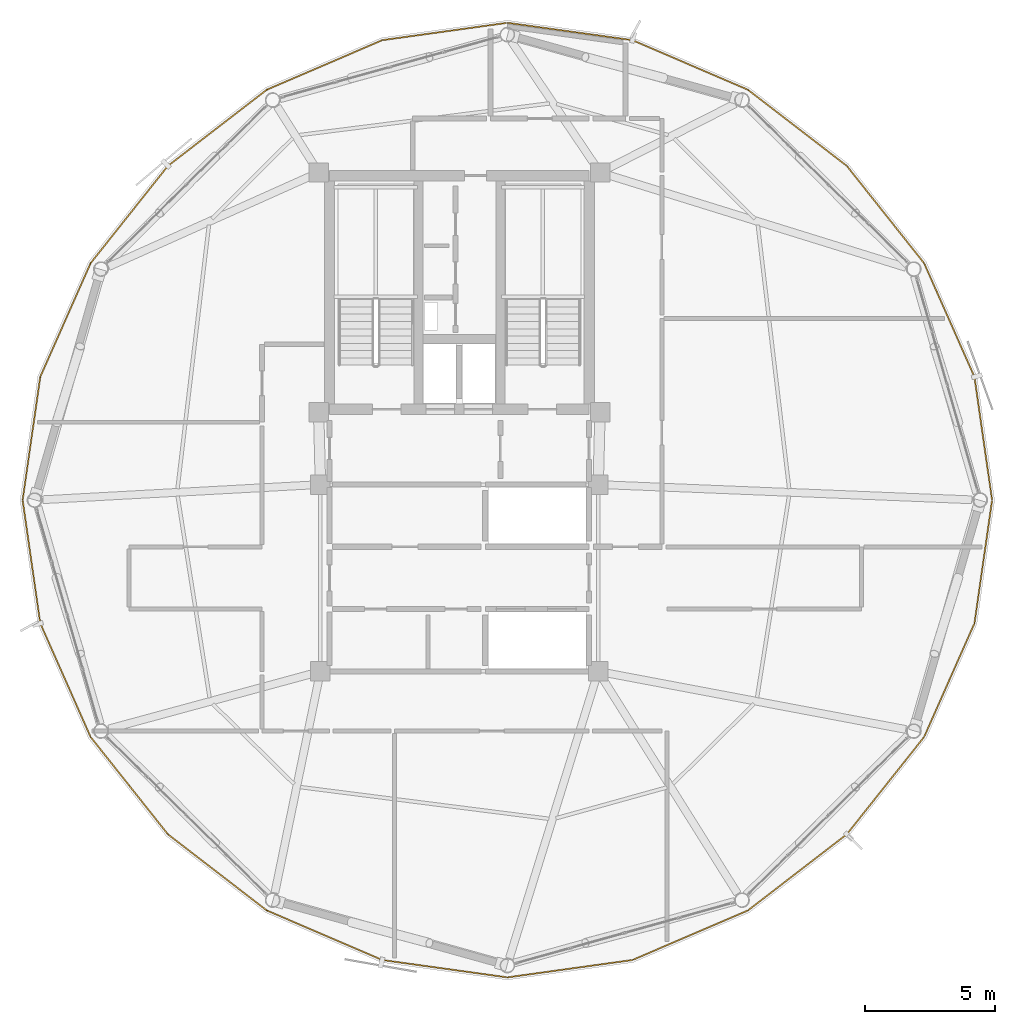
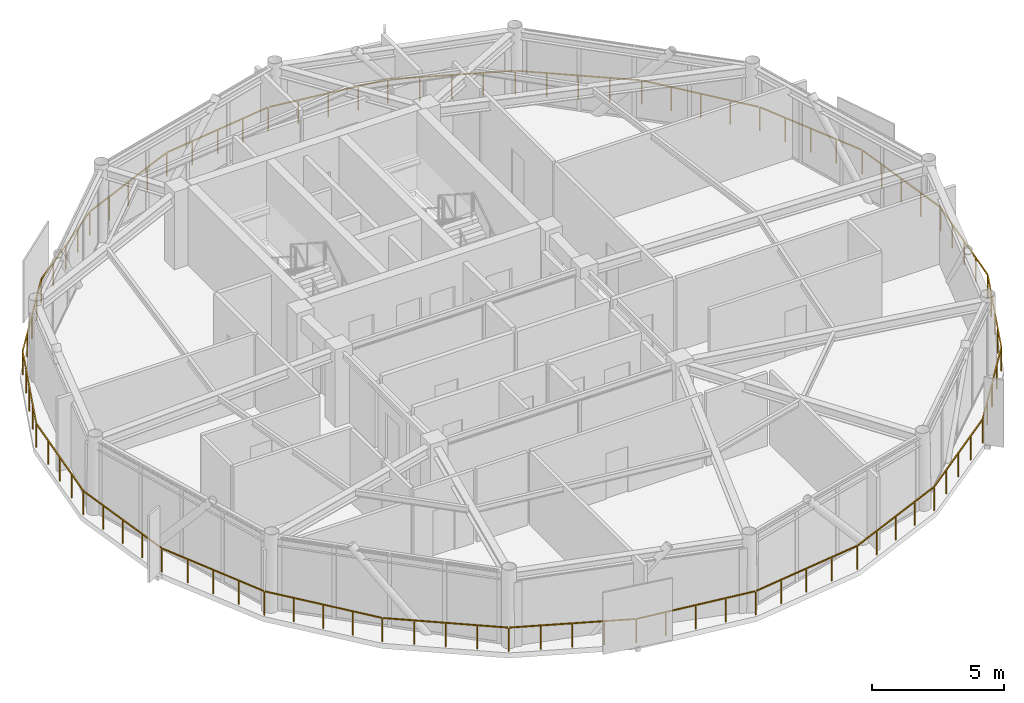
# One storey, part 26 of 27: 1 railing.
"""IFC4 building model written with IfcOpenShell, lengths in metres."""

from ifc_helpers import new_model, si_unit, direction, frame, origin, origin_2d, place, context, subcontext, project, spatial, rectangle, extrude, material, type_object, element, save


model = new_model("IFC4")

# Units and contexts
model_context = context("Model", 3, precision=1e-05, world=origin(), true_north=direction((0.0, 1.0)))
body_context = subcontext(model_context, "Body", "Model", "MODEL_VIEW")
ifc_project = project(units=[si_unit("LENGTHUNIT", "METRE"), si_unit("AREAUNIT", "SQUARE_METRE"), si_unit("VOLUMEUNIT", "CUBIC_METRE"), si_unit("PLANEANGLEUNIT", "RADIAN"), si_unit("MASSUNIT", "GRAM", prefix="KILO")], contexts=[model_context])

# Site, building, storey
site_placement = place(None, origin())
site = spatial("IfcSite", under=ifc_project, at=site_placement, CompositionType="ELEMENT")
building_placement = place(site_placement, origin())
building = spatial("IfcBuilding", under=site, at=building_placement, Name="Varnakorn Sky Granary", CompositionType="ELEMENT")
storey_placement = place(building_placement, frame((0.0, 0.0, 263.39990234375)))
storey = spatial("IfcBuildingStorey", under=building, at=storey_placement, Name="L67", CompositionType="ELEMENT", Elevation=263.39990234375)

# Railing
ifc_material = material(Name="Anodised Bronze Aluminium Alloy 6063-T6", Category="aluminium")
railing_type = type_object("IfcRailingType", Name="RL-BAL-1120", PredefinedType="BALUSTRADE", material=ifc_material)
railing_placement = place(storey_placement, frame((23.52294921875, 0.0, 0.0)))
element("IfcRailing", 1, at=railing_placement, inside=storey, type_object=railing_type, Name="Perimeter Slab-Edge Safety Guard L67", PredefinedType="BALUSTRADE", context=body_context, shape_type="SweptSolid", body=[
    extrude(rectangle(XDim=0.048095703125, YDim=0.048095703125, at=origin_2d()), frame((-0.00390625, -0.02783203125, 1.09619140625), z_axis=(-0.141685164714, -0.989911770866, 0.0), x_axis=(0.989911770866, -0.141685164714, 0.0)), (0.0, 0.0, 1.0), 4.73779296875),
    extrude(rectangle(XDim=0.048095703125, YDim=0.048095703125, at=origin_2d()), frame((-0.6904296875, -4.77099609375, 1.09619140625), z_axis=(-0.404789746332, -0.914409788478, 0.0), x_axis=(0.914409788478, -0.404789746332, 0.0)), (0.0, 0.0, 1.0), 4.732177734375),
    extrude(rectangle(XDim=0.048095703125, YDim=0.048095703125, at=origin_2d()), frame((-2.634765625, -9.145751953125, 1.09619140625), z_axis=(-0.621974102844, -0.783037812236, 0.0), x_axis=(0.783037812236, -0.621974102844, 0.0)), (0.0, 0.0, 1.0), 4.732421875),
    extrude(rectangle(XDim=0.048095703125, YDim=0.048095703125, at=origin_2d()), frame((-5.617919921875, -12.890380859375, 1.09619140625), z_axis=(-0.792299153788, -0.610132814153, 0.0), x_axis=(0.610132814153, -0.792299153788, 0.0)), (0.0, 0.0, 1.0), 4.751220703125),
    extrude(rectangle(XDim=0.048095703125, YDim=0.048095703125, at=origin_2d()), frame((-9.43017578125, -15.8173828125, 1.09619140625), z_axis=(-0.918873507021, -0.394552250147, 0.0), x_axis=(0.394552250147, -0.918873507021, 0.0)), (0.0, 0.0, 1.0), 4.78466796875),
    extrude(rectangle(XDim=0.048095703125, YDim=0.048095703125, at=origin_2d()), frame((-13.88037109375, -17.72021484375, 1.09619140625), z_axis=(-0.990486955779, -0.137606651119, 0.0), x_axis=(0.137606651119, -0.990486955779, 0.0)), (0.0, 0.0, 1.0), 4.810546875),
    extrude(rectangle(XDim=0.048095703125, YDim=0.048095703125, at=origin_2d()), frame((-18.70068359375, -18.382080078125, 1.09619140625), z_axis=(-0.990486955779, 0.137606651119, 0.0), x_axis=(-0.137606651119, -0.990486955779, 0.0)), (0.0, 0.0, 1.0), 4.810546875),
    extrude(rectangle(XDim=0.048095703125, YDim=0.048095703125, at=origin_2d()), frame((-23.518798828125, -17.705322265625, 1.09619140625), z_axis=(-0.918881357751, 0.394533966064, 0.0), x_axis=(-0.394533966064, -0.918881357751, 0.0)), (0.0, 0.0, 1.0), 4.784912109375),
    extrude(rectangle(XDim=0.048095703125, YDim=0.048095703125, at=origin_2d()), frame((-27.963623046875, -15.789306640625, 1.09619140625), z_axis=(-0.792299153788, 0.610132814153, 0.0), x_axis=(-0.610132814153, -0.792299153788, 0.0)), (0.0, 0.0, 1.0), 4.751220703125),
    extrude(rectangle(XDim=0.048095703125, YDim=0.048095703125, at=origin_2d()), frame((-31.767578125, -12.851318359375, 1.09619140625), z_axis=(-0.621974102844, 0.783037812236, 0.0), x_axis=(-0.783037812236, -0.621974102844, 0.0)), (0.0, 0.0, 1.0), 4.732421875),
    extrude(rectangle(XDim=0.048095703125, YDim=0.048095703125, at=origin_2d()), frame((-34.73974609375, -9.09814453125, 1.09619140625), z_axis=(-0.404789746332, 0.914409788478, 0.0), x_axis=(-0.914409788478, -0.404789746332, 0.0)), (0.0, 0.0, 1.0), 4.732177734375),
    extrude(rectangle(XDim=0.048095703125, YDim=0.048095703125, at=origin_2d()), frame((-36.670654296875, -4.717529296875, 1.09619140625), z_axis=(-0.141685164714, 0.989911770866, 0.0), x_axis=(-0.989911770866, -0.141685164714, 0.0)), (0.0, 0.0, 1.0), 4.73779296875),
    extrude(rectangle(XDim=0.048095703125, YDim=0.048095703125, at=origin_2d()), frame((-37.342041015625, 0.02783203125, 1.09619140625), z_axis=(0.141685164714, 0.989911770866, 0.0), x_axis=(-0.989911770866, 0.141685164714, 0.0)), (0.0, 0.0, 1.0), 4.73779296875),
    extrude(rectangle(XDim=0.048095703125, YDim=0.048095703125, at=origin_2d()), frame((-36.655517578125, 4.77099609375, 1.09619140625), z_axis=(0.404789746332, 0.914409788478, 0.0), x_axis=(-0.914409788478, 0.404789746332, 0.0)), (0.0, 0.0, 1.0), 4.732177734375),
    extrude(rectangle(XDim=0.048095703125, YDim=0.048095703125, at=origin_2d()), frame((-34.711181640625, 9.145751953125, 1.09619140625), z_axis=(0.621974102844, 0.783037812236, 0.0), x_axis=(-0.783037812236, 0.621974102844, 0.0)), (0.0, 0.0, 1.0), 4.732421875),
    extrude(rectangle(XDim=0.048095703125, YDim=0.048095703125, at=origin_2d()), frame((-31.72802734375, 12.890380859375, 1.09619140625), z_axis=(0.792299153788, 0.610132814153, 0.0), x_axis=(-0.610132814153, 0.792299153788, 0.0)), (0.0, 0.0, 1.0), 4.751220703125),
    extrude(rectangle(XDim=0.048095703125, YDim=0.048095703125, at=origin_2d()), frame((-27.915771484375, 15.8173828125, 1.09619140625), z_axis=(0.918881357751, 0.394533966064, 0.0), x_axis=(-0.394533966064, 0.918881357751, 0.0)), (0.0, 0.0, 1.0), 4.784912109375),
    extrude(rectangle(XDim=0.048095703125, YDim=0.048095703125, at=origin_2d()), frame((-23.46533203125, 17.72021484375, 1.09619140625), z_axis=(0.990486955779, 0.137606651119, 0.0), x_axis=(-0.137606651119, 0.990486955779, 0.0)), (0.0, 0.0, 1.0), 4.810546875),
    extrude(rectangle(XDim=0.048095703125, YDim=0.048095703125, at=origin_2d()), frame((-18.64501953125, 18.382080078125, 1.09619140625), z_axis=(0.990486955779, -0.137606651119, 0.0), x_axis=(0.137606651119, 0.990486955779, 0.0)), (0.0, 0.0, 1.0), 4.810546875),
    extrude(rectangle(XDim=0.048095703125, YDim=0.048095703125, at=origin_2d()), frame((-13.826904296875, 17.705322265625, 1.09619140625), z_axis=(0.918873507021, -0.394552250147, 0.0), x_axis=(0.394552250147, 0.918873507021, 0.0)), (0.0, 0.0, 1.0), 4.78466796875),
    extrude(rectangle(XDim=0.048095703125, YDim=0.048095703125, at=origin_2d()), frame((-9.38232421875, 15.789306640625, 1.09619140625), z_axis=(0.792299153788, -0.610132814153, 0.0), x_axis=(0.610132814153, 0.792299153788, 0.0)), (0.0, 0.0, 1.0), 4.751220703125),
    extrude(rectangle(XDim=0.048095703125, YDim=0.048095703125, at=origin_2d()), frame((-5.578369140625, 12.851318359375, 1.09619140625), z_axis=(0.621974102844, -0.783037812236, 0.0), x_axis=(0.783037812236, 0.621974102844, 0.0)), (0.0, 0.0, 1.0), 4.732421875),
    extrude(rectangle(XDim=0.048095703125, YDim=0.048095703125, at=origin_2d()), frame((-2.606201171875, 9.09814453125, 1.09619140625), z_axis=(0.404789746332, -0.914409788478, 0.0), x_axis=(0.914409788478, 0.404789746332, 0.0)), (0.0, 0.0, 1.0), 4.732177734375),
    extrude(rectangle(XDim=0.048095703125, YDim=0.048095703125, at=origin_2d()), frame((-0.67529296875, 4.717529296875, 1.09619140625), z_axis=(0.141685164714, -0.989911770866, 0.0), x_axis=(0.989911770866, 0.141685164714, 0.0)), (0.0, 0.0, 1.0), 4.73779296875),
    extrude(rectangle(XDim=0.0419921875, YDim=0.0419921875, at=origin_2d()), origin(), (0.0, 0.0, 1.0), 1.068115234375),
    extrude(rectangle(XDim=0.0419921875, YDim=0.0419921875, at=origin_2d()), frame((-0.169921875, -1.186279296875, 0.0)), (0.0, 0.0, 1.0), 1.068115234375),
    extrude(rectangle(XDim=0.0419921875, YDim=0.0419921875, at=origin_2d()), frame((-0.339599609375, -2.37255859375, 0.0)), (0.0, 0.0, 1.0), 1.068115234375),
    extrude(rectangle(XDim=0.0419921875, YDim=0.0419921875, at=origin_2d()), frame((-0.50927734375, -3.55908203125, 0.0)), (0.0, 0.0, 1.0), 1.068115234375),
    extrude(rectangle(XDim=0.0419921875, YDim=0.0419921875, at=origin_2d()), frame((-0.67919921875, -4.745361328125, 0.0)), (0.0, 0.0, 1.0), 1.068115234375),
    extrude(rectangle(XDim=0.0419921875, YDim=0.0419921875, at=origin_2d()), frame((-1.163818359375, -5.83984375, 0.0)), (0.0, 0.0, 1.0), 1.068115234375),
    extrude(rectangle(XDim=0.0419921875, YDim=0.0419921875, at=origin_2d()), frame((-1.6484375, -6.9345703125, 0.0)), (0.0, 0.0, 1.0), 1.068115234375),
    extrude(rectangle(XDim=0.0419921875, YDim=0.0419921875, at=origin_2d()), frame((-2.1328125, -8.029296875, 0.0)), (0.0, 0.0, 1.0), 1.068115234375),
    extrude(rectangle(XDim=0.0419921875, YDim=0.0419921875, at=origin_2d()), frame((-2.617431640625, -9.123779296875, 0.0)), (0.0, 0.0, 1.0), 1.068115234375),
    extrude(rectangle(XDim=0.0419921875, YDim=0.0419921875, at=origin_2d()), frame((-3.362060546875, -10.06103515625, 0.0)), (0.0, 0.0, 1.0), 1.068115234375),
    extrude(rectangle(XDim=0.0419921875, YDim=0.0419921875, at=origin_2d()), frame((-4.1064453125, -10.99853515625, 0.0)), (0.0, 0.0, 1.0), 1.068115234375),
    extrude(rectangle(XDim=0.0419921875, YDim=0.0419921875, at=origin_2d()), frame((-4.85107421875, -11.93603515625, 0.0)), (0.0, 0.0, 1.0), 1.068115234375),
    extrude(rectangle(XDim=0.0419921875, YDim=0.0419921875, at=origin_2d()), frame((-5.595703125, -12.873291015625, 0.0)), (0.0, 0.0, 1.0), 1.068115234375),
    extrude(rectangle(XDim=0.0419921875, YDim=0.0419921875, at=origin_2d()), frame((-6.5478515625, -13.6064453125, 0.0)), (0.0, 0.0, 1.0), 1.068115234375),
    extrude(rectangle(XDim=0.0419921875, YDim=0.0419921875, at=origin_2d()), frame((-7.5, -14.33984375, 0.0)), (0.0, 0.0, 1.0), 1.068115234375),
    extrude(rectangle(XDim=0.0419921875, YDim=0.0419921875, at=origin_2d()), frame((-8.452392578125, -15.0732421875, 0.0)), (0.0, 0.0, 1.0), 1.068115234375),
    extrude(rectangle(XDim=0.0419921875, YDim=0.0419921875, at=origin_2d()), frame((-9.404541015625, -15.806396484375, 0.0)), (0.0, 0.0, 1.0), 1.068115234375),
    extrude(rectangle(XDim=0.0419921875, YDim=0.0419921875, at=origin_2d()), frame((-10.5166015625, -16.283935546875, 0.0)), (0.0, 0.0, 1.0), 1.068115234375),
    extrude(rectangle(XDim=0.0419921875, YDim=0.0419921875, at=origin_2d()), frame((-11.62841796875, -16.76123046875, 0.0)), (0.0, 0.0, 1.0), 1.068115234375),
    extrude(rectangle(XDim=0.0419921875, YDim=0.0419921875, at=origin_2d()), frame((-12.740478515625, -17.23876953125, 0.0)), (0.0, 0.0, 1.0), 1.068115234375),
    extrude(rectangle(XDim=0.0419921875, YDim=0.0419921875, at=origin_2d()), frame((-13.8525390625, -17.71630859375, 0.0)), (0.0, 0.0, 1.0), 1.068115234375),
    extrude(rectangle(XDim=0.0419921875, YDim=0.0419921875, at=origin_2d()), frame((-15.0576171875, -17.8837890625, 0.0)), (0.0, 0.0, 1.0), 1.068115234375),
    extrude(rectangle(XDim=0.0419921875, YDim=0.0419921875, at=origin_2d()), frame((-16.2626953125, -18.05126953125, 0.0)), (0.0, 0.0, 1.0), 1.068115234375),
    extrude(rectangle(XDim=0.0419921875, YDim=0.0419921875, at=origin_2d()), frame((-17.4677734375, -18.218505859375, 0.0)), (0.0, 0.0, 1.0), 1.068115234375),
    extrude(rectangle(XDim=0.0419921875, YDim=0.0419921875, at=origin_2d()), frame((-18.6728515625, -18.385986328125, 0.0)), (0.0, 0.0, 1.0), 1.068115234375),
    extrude(rectangle(XDim=0.0419921875, YDim=0.0419921875, at=origin_2d()), frame((-19.8779296875, -18.218505859375, 0.0)), (0.0, 0.0, 1.0), 1.068115234375),
    extrude(rectangle(XDim=0.0419921875, YDim=0.0419921875, at=origin_2d()), frame((-21.0830078125, -18.05126953125, 0.0)), (0.0, 0.0, 1.0), 1.068115234375),
    extrude(rectangle(XDim=0.0419921875, YDim=0.0419921875, at=origin_2d()), frame((-22.2880859375, -17.8837890625, 0.0)), (0.0, 0.0, 1.0), 1.068115234375),
    extrude(rectangle(XDim=0.0419921875, YDim=0.0419921875, at=origin_2d()), frame((-23.4931640625, -17.71630859375, 0.0)), (0.0, 0.0, 1.0), 1.068115234375),
    extrude(rectangle(XDim=0.0419921875, YDim=0.0419921875, at=origin_2d()), frame((-24.605224609375, -17.23876953125, 0.0)), (0.0, 0.0, 1.0), 1.068115234375),
    extrude(rectangle(XDim=0.0419921875, YDim=0.0419921875, at=origin_2d()), frame((-25.71728515625, -16.76123046875, 0.0)), (0.0, 0.0, 1.0), 1.068115234375),
    extrude(rectangle(XDim=0.0419921875, YDim=0.0419921875, at=origin_2d()), frame((-26.829345703125, -16.283935546875, 0.0)), (0.0, 0.0, 1.0), 1.068115234375),
    extrude(rectangle(XDim=0.0419921875, YDim=0.0419921875, at=origin_2d()), frame((-27.94140625, -15.806396484375, 0.0)), (0.0, 0.0, 1.0), 1.068115234375),
    extrude(rectangle(XDim=0.0419921875, YDim=0.0419921875, at=origin_2d()), frame((-28.8935546875, -15.0732421875, 0.0)), (0.0, 0.0, 1.0), 1.068115234375),
    extrude(rectangle(XDim=0.0419921875, YDim=0.0419921875, at=origin_2d()), frame((-29.845703125, -14.33984375, 0.0)), (0.0, 0.0, 1.0), 1.068115234375),
    extrude(rectangle(XDim=0.0419921875, YDim=0.0419921875, at=origin_2d()), frame((-30.798095703125, -13.6064453125, 0.0)), (0.0, 0.0, 1.0), 1.068115234375),
    extrude(rectangle(XDim=0.0419921875, YDim=0.0419921875, at=origin_2d()), frame((-31.750244140625, -12.873291015625, 0.0)), (0.0, 0.0, 1.0), 1.068115234375),
    extrude(rectangle(XDim=0.0419921875, YDim=0.0419921875, at=origin_2d()), frame((-32.494873046875, -11.93603515625, 0.0)), (0.0, 0.0, 1.0), 1.068115234375),
    extrude(rectangle(XDim=0.0419921875, YDim=0.0419921875, at=origin_2d()), frame((-33.2392578125, -10.99853515625, 0.0)), (0.0, 0.0, 1.0), 1.068115234375),
    extrude(rectangle(XDim=0.0419921875, YDim=0.0419921875, at=origin_2d()), frame((-33.98388671875, -10.06103515625, 0.0)), (0.0, 0.0, 1.0), 1.068115234375),
    extrude(rectangle(XDim=0.0419921875, YDim=0.0419921875, at=origin_2d()), frame((-34.728515625, -9.123779296875, 0.0)), (0.0, 0.0, 1.0), 1.068115234375),
    extrude(rectangle(XDim=0.0419921875, YDim=0.0419921875, at=origin_2d()), frame((-35.213134765625, -8.029296875, 0.0)), (0.0, 0.0, 1.0), 1.068115234375),
    extrude(rectangle(XDim=0.0419921875, YDim=0.0419921875, at=origin_2d()), frame((-35.69775390625, -6.9345703125, 0.0)), (0.0, 0.0, 1.0), 1.068115234375),
    extrude(rectangle(XDim=0.0419921875, YDim=0.0419921875, at=origin_2d()), frame((-36.18212890625, -5.83984375, 0.0)), (0.0, 0.0, 1.0), 1.068115234375),
    extrude(rectangle(XDim=0.0419921875, YDim=0.0419921875, at=origin_2d()), frame((-36.666748046875, -4.745361328125, 0.0)), (0.0, 0.0, 1.0), 1.068115234375),
    extrude(rectangle(XDim=0.0419921875, YDim=0.0419921875, at=origin_2d()), frame((-36.83642578125, -3.55908203125, 0.0)), (0.0, 0.0, 1.0), 1.068115234375),
    extrude(rectangle(XDim=0.0419921875, YDim=0.0419921875, at=origin_2d()), frame((-37.00634765625, -2.37255859375, 0.0)), (0.0, 0.0, 1.0), 1.068115234375),
    extrude(rectangle(XDim=0.0419921875, YDim=0.0419921875, at=origin_2d()), frame((-37.17626953125, -1.186279296875, 0.0)), (0.0, 0.0, 1.0), 1.068115234375),
    extrude(rectangle(XDim=0.0419921875, YDim=0.0419921875, at=origin_2d()), frame((-37.345947265625, 0.0, 0.0)), (0.0, 0.0, 1.0), 1.068115234375),
    extrude(rectangle(XDim=0.0419921875, YDim=0.0419921875, at=origin_2d()), frame((-37.17626953125, 1.186279296875, 0.0)), (0.0, 0.0, 1.0), 1.068115234375),
    extrude(rectangle(XDim=0.0419921875, YDim=0.0419921875, at=origin_2d()), frame((-37.00634765625, 2.37255859375, 0.0)), (0.0, 0.0, 1.0), 1.068115234375),
    extrude(rectangle(XDim=0.0419921875, YDim=0.0419921875, at=origin_2d()), frame((-36.83642578125, 3.55908203125, 0.0)), (0.0, 0.0, 1.0), 1.068115234375),
    extrude(rectangle(XDim=0.0419921875, YDim=0.0419921875, at=origin_2d()), frame((-36.666748046875, 4.745361328125, 0.0)), (0.0, 0.0, 1.0), 1.068115234375),
    extrude(rectangle(XDim=0.0419921875, YDim=0.0419921875, at=origin_2d()), frame((-36.18212890625, 5.83984375, 0.0)), (0.0, 0.0, 1.0), 1.068115234375),
    extrude(rectangle(XDim=0.0419921875, YDim=0.0419921875, at=origin_2d()), frame((-35.69775390625, 6.9345703125, 0.0)), (0.0, 0.0, 1.0), 1.068115234375),
    extrude(rectangle(XDim=0.0419921875, YDim=0.0419921875, at=origin_2d()), frame((-35.213134765625, 8.029296875, 0.0)), (0.0, 0.0, 1.0), 1.068115234375),
    extrude(rectangle(XDim=0.0419921875, YDim=0.0419921875, at=origin_2d()), frame((-34.728515625, 9.123779296875, 0.0)), (0.0, 0.0, 1.0), 1.068115234375),
    extrude(rectangle(XDim=0.0419921875, YDim=0.0419921875, at=origin_2d()), frame((-33.98388671875, 10.06103515625, 0.0)), (0.0, 0.0, 1.0), 1.068115234375),
    extrude(rectangle(XDim=0.0419921875, YDim=0.0419921875, at=origin_2d()), frame((-33.2392578125, 10.99853515625, 0.0)), (0.0, 0.0, 1.0), 1.068115234375),
    extrude(rectangle(XDim=0.0419921875, YDim=0.0419921875, at=origin_2d()), frame((-32.494873046875, 11.93603515625, 0.0)), (0.0, 0.0, 1.0), 1.068115234375),
    extrude(rectangle(XDim=0.0419921875, YDim=0.0419921875, at=origin_2d()), frame((-31.750244140625, 12.873291015625, 0.0)), (0.0, 0.0, 1.0), 1.068115234375),
    extrude(rectangle(XDim=0.0419921875, YDim=0.0419921875, at=origin_2d()), frame((-30.798095703125, 13.6064453125, 0.0)), (0.0, 0.0, 1.0), 1.068115234375),
    extrude(rectangle(XDim=0.0419921875, YDim=0.0419921875, at=origin_2d()), frame((-29.845703125, 14.33984375, 0.0)), (0.0, 0.0, 1.0), 1.068115234375),
    extrude(rectangle(XDim=0.0419921875, YDim=0.0419921875, at=origin_2d()), frame((-28.8935546875, 15.0732421875, 0.0)), (0.0, 0.0, 1.0), 1.068115234375),
    extrude(rectangle(XDim=0.0419921875, YDim=0.0419921875, at=origin_2d()), frame((-27.94140625, 15.806396484375, 0.0)), (0.0, 0.0, 1.0), 1.068115234375),
    extrude(rectangle(XDim=0.0419921875, YDim=0.0419921875, at=origin_2d()), frame((-26.829345703125, 16.283935546875, 0.0)), (0.0, 0.0, 1.0), 1.068115234375),
    extrude(rectangle(XDim=0.0419921875, YDim=0.0419921875, at=origin_2d()), frame((-25.71728515625, 16.76123046875, 0.0)), (0.0, 0.0, 1.0), 1.068115234375),
    extrude(rectangle(XDim=0.0419921875, YDim=0.0419921875, at=origin_2d()), frame((-24.605224609375, 17.23876953125, 0.0)), (0.0, 0.0, 1.0), 1.068115234375),
    extrude(rectangle(XDim=0.0419921875, YDim=0.0419921875, at=origin_2d()), frame((-23.4931640625, 17.71630859375, 0.0)), (0.0, 0.0, 1.0), 1.068115234375),
    extrude(rectangle(XDim=0.0419921875, YDim=0.0419921875, at=origin_2d()), frame((-22.2880859375, 17.8837890625, 0.0)), (0.0, 0.0, 1.0), 1.068115234375),
    extrude(rectangle(XDim=0.0419921875, YDim=0.0419921875, at=origin_2d()), frame((-21.0830078125, 18.05126953125, 0.0)), (0.0, 0.0, 1.0), 1.068115234375),
    extrude(rectangle(XDim=0.0419921875, YDim=0.0419921875, at=origin_2d()), frame((-19.8779296875, 18.218505859375, 0.0)), (0.0, 0.0, 1.0), 1.068115234375),
    extrude(rectangle(XDim=0.0419921875, YDim=0.0419921875, at=origin_2d()), frame((-18.6728515625, 18.385986328125, 0.0)), (0.0, 0.0, 1.0), 1.068115234375),
    extrude(rectangle(XDim=0.0419921875, YDim=0.0419921875, at=origin_2d()), frame((-17.4677734375, 18.218505859375, 0.0)), (0.0, 0.0, 1.0), 1.068115234375),
    extrude(rectangle(XDim=0.0419921875, YDim=0.0419921875, at=origin_2d()), frame((-16.2626953125, 18.05126953125, 0.0)), (0.0, 0.0, 1.0), 1.068115234375),
    extrude(rectangle(XDim=0.0419921875, YDim=0.0419921875, at=origin_2d()), frame((-15.0576171875, 17.8837890625, 0.0)), (0.0, 0.0, 1.0), 1.068115234375),
    extrude(rectangle(XDim=0.0419921875, YDim=0.0419921875, at=origin_2d()), frame((-13.8525390625, 17.71630859375, 0.0)), (0.0, 0.0, 1.0), 1.068115234375),
    extrude(rectangle(XDim=0.0419921875, YDim=0.0419921875, at=origin_2d()), frame((-12.740478515625, 17.23876953125, 0.0)), (0.0, 0.0, 1.0), 1.068115234375),
    extrude(rectangle(XDim=0.0419921875, YDim=0.0419921875, at=origin_2d()), frame((-11.62841796875, 16.76123046875, 0.0)), (0.0, 0.0, 1.0), 1.068115234375),
    extrude(rectangle(XDim=0.0419921875, YDim=0.0419921875, at=origin_2d()), frame((-10.5166015625, 16.283935546875, 0.0)), (0.0, 0.0, 1.0), 1.068115234375),
    extrude(rectangle(XDim=0.0419921875, YDim=0.0419921875, at=origin_2d()), frame((-9.404541015625, 15.806396484375, 0.0)), (0.0, 0.0, 1.0), 1.068115234375),
    extrude(rectangle(XDim=0.0419921875, YDim=0.0419921875, at=origin_2d()), frame((-8.452392578125, 15.0732421875, 0.0)), (0.0, 0.0, 1.0), 1.068115234375),
    extrude(rectangle(XDim=0.0419921875, YDim=0.0419921875, at=origin_2d()), frame((-7.5, 14.33984375, 0.0)), (0.0, 0.0, 1.0), 1.068115234375),
    extrude(rectangle(XDim=0.0419921875, YDim=0.0419921875, at=origin_2d()), frame((-6.5478515625, 13.6064453125, 0.0)), (0.0, 0.0, 1.0), 1.068115234375),
    extrude(rectangle(XDim=0.0419921875, YDim=0.0419921875, at=origin_2d()), frame((-5.595703125, 12.873291015625, 0.0)), (0.0, 0.0, 1.0), 1.068115234375),
    extrude(rectangle(XDim=0.0419921875, YDim=0.0419921875, at=origin_2d()), frame((-4.85107421875, 11.93603515625, 0.0)), (0.0, 0.0, 1.0), 1.068115234375),
    extrude(rectangle(XDim=0.0419921875, YDim=0.0419921875, at=origin_2d()), frame((-4.1064453125, 10.99853515625, 0.0)), (0.0, 0.0, 1.0), 1.068115234375),
    extrude(rectangle(XDim=0.0419921875, YDim=0.0419921875, at=origin_2d()), frame((-3.362060546875, 10.06103515625, 0.0)), (0.0, 0.0, 1.0), 1.068115234375),
    extrude(rectangle(XDim=0.0419921875, YDim=0.0419921875, at=origin_2d()), frame((-2.617431640625, 9.123779296875, 0.0)), (0.0, 0.0, 1.0), 1.068115234375),
    extrude(rectangle(XDim=0.0419921875, YDim=0.0419921875, at=origin_2d()), frame((-2.1328125, 8.029296875, 0.0)), (0.0, 0.0, 1.0), 1.068115234375),
    extrude(rectangle(XDim=0.0419921875, YDim=0.0419921875, at=origin_2d()), frame((-1.6484375, 6.9345703125, 0.0)), (0.0, 0.0, 1.0), 1.068115234375),
    extrude(rectangle(XDim=0.0419921875, YDim=0.0419921875, at=origin_2d()), frame((-1.163818359375, 5.83984375, 0.0)), (0.0, 0.0, 1.0), 1.068115234375),
    extrude(rectangle(XDim=0.0419921875, YDim=0.0419921875, at=origin_2d()), frame((-0.67919921875, 4.745361328125, 0.0)), (0.0, 0.0, 1.0), 1.068115234375),
    extrude(rectangle(XDim=0.0419921875, YDim=0.0419921875, at=origin_2d()), frame((-0.50927734375, 3.55908203125, 0.0)), (0.0, 0.0, 1.0), 1.068115234375),
    extrude(rectangle(XDim=0.0419921875, YDim=0.0419921875, at=origin_2d()), frame((-0.339599609375, 2.37255859375, 0.0)), (0.0, 0.0, 1.0), 1.068115234375),
    extrude(rectangle(XDim=0.0419921875, YDim=0.0419921875, at=origin_2d()), frame((-0.169921875, 1.186279296875, 0.0)), (0.0, 0.0, 1.0), 1.068115234375),
])

save(model, "model.ifc")
